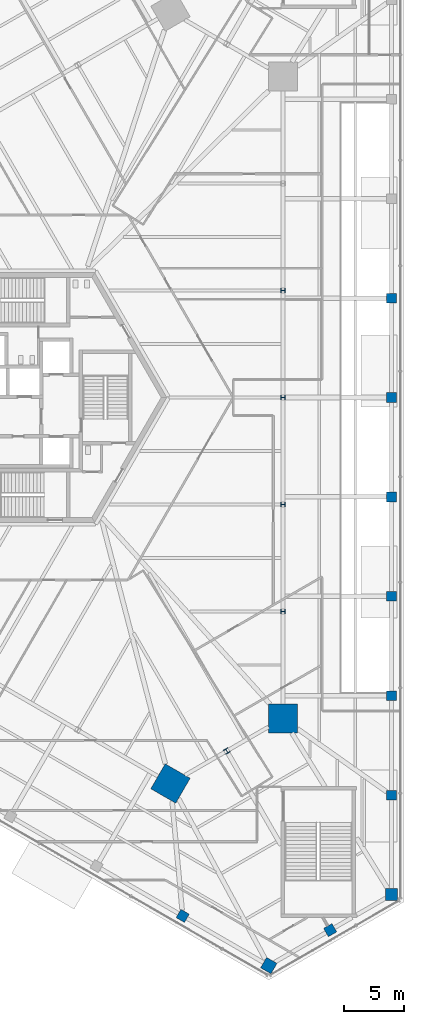
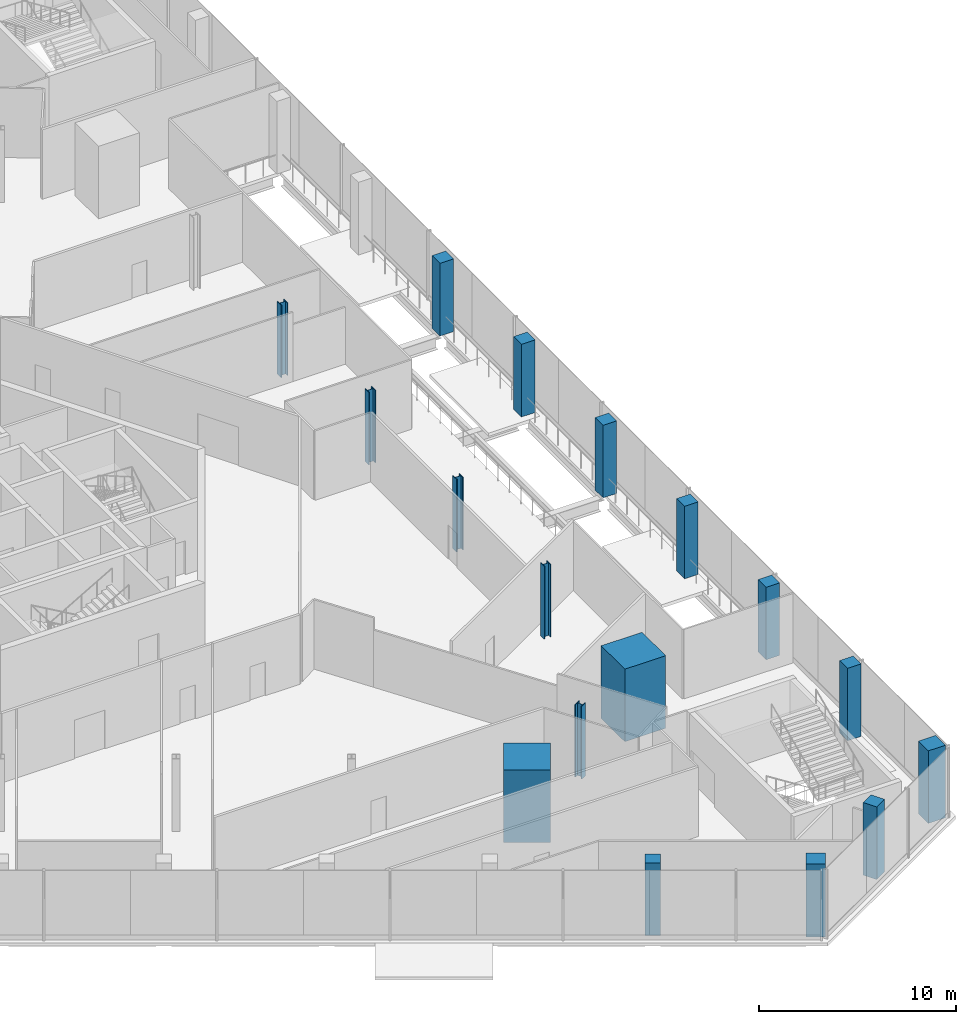
# One storey, part 3 of 27: 17 columns.
"""IFC4 building model written with IfcOpenShell, lengths in metres."""

import ifcopenshell
import ifcopenshell.guid

model = None  # the IFC model being written
_history = None  # IfcOwnerHistory: only IFC2X3 demands one
_inside = {}  # id of a spatial element -> (the spatial element, [elements in it])
_under = {}  # id of a project, library or spatial element -> (it, [spatial elements below it])
_declared = {}  # id of a project -> (the project, [libraries it declares])
_typed = {}  # id of a type object -> (the type object, [elements of that type])
_made_of = {}  # id of a material, layer set ... -> (it, [elements and type objects made of it])


def new_model(schema):
    """Start an empty IFC model of exactly this schema.

    Asked for "IFC4X3", IfcOpenShell would pick the latest addendum, in which some entities
    have other attributes; the version numbers below select the first issue.
    IFC2X3 requires an IfcOwnerHistory on every rooted entity: one is made here for all.
    """
    global model, _history
    if schema == "IFC4X3":
        model = ifcopenshell.file(schema_version=(4, 3, 0, 0))
    else:
        model = ifcopenshell.file(schema=schema)
    _inside.clear()
    _under.clear()
    _declared.clear()
    _typed.clear()
    _made_of.clear()
    _history = None
    if model.schema == "IFC2X3":
        org = make("IfcOrganization", Name="unknown")
        user = make(
            "IfcPersonAndOrganization",
            ThePerson=make("IfcPerson", FamilyName="unknown"),
            TheOrganization=org,
        )
        app = make(
            "IfcApplication",
            ApplicationDeveloper=org,
            Version="unknown",
            ApplicationFullName="unknown",
            ApplicationIdentifier="unknown",
        )
        _history = make(
            "IfcOwnerHistory",
            OwningUser=user,
            OwningApplication=app,
            ChangeAction="ADDED",
            CreationDate=0,
        )
    return model


def make(cls, **values):
    """One entity of the class cls with the attributes given. An attribute that is None is left unset."""
    return model.create_entity(
        cls, **{name: value for name, value in values.items() if value is not None}
    )


def rooted(cls, **values):
    """An entity with a GlobalId (a new one), such as an element, a storey or a relation."""
    return make(cls, GlobalId=ifcopenshell.guid.new(), OwnerHistory=_history, **values)


def si_unit(unit_type, name, prefix=None):
    """IfcSIUnit, for example si_unit("LENGTHUNIT", "METRE", prefix="MILLI")."""
    return make("IfcSIUnit", UnitType=unit_type, Prefix=prefix, Name=name)


def assignment(units):
    """IfcUnitAssignment: the units of a project."""
    return None if units is None else make("IfcUnitAssignment", Units=units)


def point(xyz):
    """IfcCartesianPoint."""
    return None if xyz is None else make("IfcCartesianPoint", Coordinates=xyz)


def direction(xyz):
    """IfcDirection."""
    return None if xyz is None else make("IfcDirection", DirectionRatios=xyz)


def frame(location, z_axis=None, x_axis=None):
    """IfcAxis2Placement3D, a coordinate frame: its origin and axes. An axis left out is left unset."""
    return make(
        "IfcAxis2Placement3D",
        Location=point(location),
        Axis=direction(z_axis),
        RefDirection=direction(x_axis),
    )


def frame_2d(location, x_axis=None):
    """IfcAxis2Placement2D, a coordinate frame in the plane: its origin and x axis."""
    return make(
        "IfcAxis2Placement2D", Location=point(location), RefDirection=direction(x_axis)
    )


def origin():
    """The frame at (0, 0, 0) with its axes left unset."""
    return frame((0.0, 0.0, 0.0))


def origin_2d():
    """The frame at (0, 0) in the plane with its x axis left unset."""
    return frame_2d((0.0, 0.0))


def place(relative_to, where):
    """IfcLocalPlacement: puts the frame where relative to a parent placement (None: the world)."""
    return make(
        "IfcLocalPlacement", PlacementRelTo=relative_to, RelativePlacement=where
    )


def context(
    kind, dimensions, precision=None, world=None, true_north=None, identifier=None
):
    """IfcGeometricRepresentationContext, for example the 3D "Model" context."""
    return make(
        "IfcGeometricRepresentationContext",
        ContextIdentifier=identifier,
        ContextType=kind,
        CoordinateSpaceDimension=dimensions,
        Precision=precision,
        WorldCoordinateSystem=world,
        TrueNorth=true_north,
    )


def subcontext(parent, identifier, kind, view, scale=None):
    """IfcGeometricRepresentationSubContext, for example "Body" below "Model"."""
    return make(
        "IfcGeometricRepresentationSubContext",
        ContextIdentifier=identifier,
        ContextType=kind,
        ParentContext=parent,
        TargetScale=scale,
        TargetView=view,
    )


def project(units=None, contexts=None):
    """IfcProject with its units and contexts."""
    return rooted(
        "IfcProject",
        Name="project",
        RepresentationContexts=contexts,
        UnitsInContext=assignment(units),
    )


def spatial(cls, under=None, at=None, **own):
    """A site, building, storey or space (cls), placed at a placement, below another one or the project."""
    s = rooted(cls, ObjectPlacement=at, **own)
    if under is not None:
        _under.setdefault(under.id(), (under, []))[1].append(s)
    return s


def profile(cls, at=None, kind="AREA", **sizes):
    """A parametric profile (cls). Its sizes go by their IFC names, for example OverallWidth=200.0."""
    return make(cls, ProfileType=kind, Position=at, **sizes)


def rectangle(**sizes):
    """IfcRectangleProfileDef."""
    return profile("IfcRectangleProfileDef", **sizes)


def i_section(**sizes):
    """IfcIShapeProfileDef."""
    return profile("IfcIShapeProfileDef", **sizes)


def extrude(swept, where, along, depth):
    """IfcExtrudedAreaSolid: the profile swept, set in the frame where, extruded along a direction by depth."""
    return make(
        "IfcExtrudedAreaSolid",
        SweptArea=swept,
        Position=where,
        ExtrudedDirection=direction(along),
        Depth=depth,
    )


def shape(context_of_items, identifier, shape_type, items):
    """IfcShapeRepresentation: the items that make up one representation, for example the "Body"."""
    return make(
        "IfcShapeRepresentation",
        ContextOfItems=context_of_items,
        RepresentationIdentifier=identifier,
        RepresentationType=shape_type,
        Items=items,
    )


def source(mapping_origin, context_of_items, identifier, shape_type, items):
    """IfcRepresentationMap: a shape defined once, which mapped items show again and again."""
    return make(
        "IfcRepresentationMap",
        MappingOrigin=mapping_origin,
        MappedRepresentation=shape(context_of_items, identifier, shape_type, items),
    )


def transform(
    local_origin,
    x_axis=None,
    y_axis=None,
    z_axis=None,
    scale=None,
    scale2=None,
    scale3=None,
    uniform=True,
):
    """IfcCartesianTransformationOperator3D, or its non-uniform kind. x_axis, y_axis, z_axis: its Axis1, 2, 3."""
    if uniform:
        return make(
            "IfcCartesianTransformationOperator3D",
            Axis1=direction(x_axis),
            Axis2=direction(y_axis),
            LocalOrigin=point(local_origin),
            Scale=scale,
            Axis3=direction(z_axis),
        )
    return make(
        "IfcCartesianTransformationOperator3DnonUniform",
        Axis1=direction(x_axis),
        Axis2=direction(y_axis),
        LocalOrigin=point(local_origin),
        Scale=scale,
        Axis3=direction(z_axis),
        Scale2=scale2,
        Scale3=scale3,
    )


def mapped(mapping_source, mapping_target):
    """IfcMappedItem: shows the shape of a source again, moved by a transform."""
    return make(
        "IfcMappedItem", MappingSource=mapping_source, MappingTarget=mapping_target
    )


def material(Name=None, Category=None):
    """IfcMaterial."""
    return make("IfcMaterial", Name=Name, Category=Category)


def material_profile(
    of_material, cross_section, Name=None, Category=None, Priority=None
):
    """IfcMaterialProfile: a cross section and its material."""
    return make(
        "IfcMaterialProfile",
        Name=Name,
        Material=of_material,
        Profile=cross_section,
        Priority=Priority,
        Category=Category,
    )


def profile_set(profiles, Name=None, composite=None):
    """IfcMaterialProfileSet."""
    return make(
        "IfcMaterialProfileSet",
        Name=Name,
        MaterialProfiles=profiles,
        CompositeProfile=composite,
    )


def made_of(thing, what):
    """Note that an element or type object is made of a material, layer set ...; save() writes the relation."""
    if what is not None:
        _made_of.setdefault(what.id(), (what, []))[1].append(thing)
    return thing


def type_object(cls, material=None, **own):
    """A type object (cls), such as IfcWallType, which elements share."""
    return made_of(rooted(cls, **own), material)


def element(
    cls,
    number,
    at=None,
    inside=None,
    cuts=None,
    type_object=None,
    material=None,
    context=None,
    identifier="Body",
    shape_type=None,
    held_by="IfcProductDefinitionShape",
    body=None,
    shapes=None,
    **own,
):
    """One element of the class cls, such as IfcWall. Its Tag is "e" and its number.

    at: its placement. inside: the storey or other place that contains it. cuts: it is an
    opening in that element (IfcRelVoidsElement). A single representation is given by context,
    identifier, shape_type and body (its items); several are given by shapes. held_by: the class
    of the entity that holds the representations. save() writes the other relations.
    """
    e = rooted(cls, Tag="e%d" % number, ObjectPlacement=at, **own)
    if body is not None:
        shapes = [shape(context, identifier, shape_type, body)]
    if shapes is not None:
        e.Representation = make(held_by, Representations=shapes)
    if inside is not None:
        _inside.setdefault(inside.id(), (inside, []))[1].append(e)
    if cuts is not None:
        rooted(
            "IfcRelVoidsElement", RelatingBuildingElement=cuts, RelatedOpeningElement=e
        )
    if type_object is not None:
        _typed.setdefault(type_object.id(), (type_object, []))[1].append(e)
    return made_of(e, material)


def aggregate(whole, parts):
    """IfcRelAggregates: a whole, such as a stair, and the parts it consists of."""
    return rooted("IfcRelAggregates", RelatingObject=whole, RelatedObjects=parts)


def save(model, path):
    """Write the relations noted so far, then the file.

    IfcRelAggregates (storeys below a building ...), IfcRelContainedInSpatialStructure (elements
    in a storey), IfcRelDefinesByType, IfcRelAssociatesMaterial and IfcRelDeclares: one each for
    every whole, place, type object, material and project.
    """
    for whole, parts in _under.values():
        aggregate(whole, parts)
    for where, things in _inside.values():
        rooted(
            "IfcRelContainedInSpatialStructure",
            RelatedElements=things,
            RelatingStructure=where,
        )
    for kind, things in _typed.values():
        rooted("IfcRelDefinesByType", RelatedObjects=things, RelatingType=kind)
    for what, things in _made_of.values():
        rooted("IfcRelAssociatesMaterial", RelatedObjects=things, RelatingMaterial=what)
    for by, libraries in _declared.values():
        rooted("IfcRelDeclares", RelatingContext=by, RelatedDefinitions=libraries)
    model.write(path)


model = new_model("IFC4")

# Units and contexts
model_context = context("Model", 3, precision=1e-05, world=origin(), true_north=direction((0.0, 1.0)))
body_context = subcontext(model_context, "Body", "Model", "MODEL_VIEW")
ifc_project = project(units=[si_unit("LENGTHUNIT", "METRE"), si_unit("AREAUNIT", "SQUARE_METRE"), si_unit("VOLUMEUNIT", "CUBIC_METRE"), si_unit("PLANEANGLEUNIT", "RADIAN"), si_unit("MASSUNIT", "GRAM", prefix="KILO")], contexts=[model_context])

# Site, building, storey
site_placement = place(None, origin())
site = spatial("IfcSite", under=ifc_project, at=site_placement, CompositionType="ELEMENT")
building_placement = place(site_placement, origin())
building = spatial("IfcBuilding", under=site, at=building_placement, Name="Triune Harvest Tower", CompositionType="ELEMENT")
storey_placement = place(building_placement, frame((0.0, 0.0, 7.0)))
storey = spatial("IfcBuildingStorey", under=building, at=storey_placement, Name="L01", CompositionType="ELEMENT", Elevation=7.0)

# Columns
ifc_material_1 = material(Name="Concrete 70 MPa", Category="concrete")
ifc_material_profile_1 = material_profile(ifc_material_1, rectangle(XDim=2.39990234375, YDim=2.39990234375, at=origin_2d()), Name="Composite 2400x2400")
ifc_profile_set_1 = profile_set([ifc_material_profile_1], Name="Concrete 70 MPa")
column_type_1 = type_object("IfcColumnType", Name="MC-1 Mega column Composite 2400x2400", PredefinedType="COLUMN", material=ifc_profile_set_1)
shared_shape_1 = source(origin(), body_context, "Body", "SweptSolid", [
    extrude(rectangle(XDim=2.39990234375, YDim=2.39990234375, at=origin_2d()), origin(), (0.0, 0.0, 1.0), 4.5),
])
for number, where, z_axis, x_axis, name in (
    (1, (21.679443359375, -26.72998046875, 0.0), (0.0, 0.0, 1.0), (0.0, 1.0, 0.0), "col/L01/M0"),
    (2, (12.30908203125, -32.139892578125, 0.0), (0.0, 0.0, 1.0), (0.866025403784, -0.5, 0.0), "col/L01/M22"),
):
    element("IfcColumn", number, at=place(storey_placement, frame(where, z_axis=z_axis, x_axis=x_axis)), inside=storey, type_object=column_type_1, Name=name, PredefinedType="COLUMN", context=body_context, shape_type="MappedRepresentation", body=[
        mapped(shared_shape_1, transform((0.0, 0.0, 0.0), scale=1.0)),
    ])
ifc_material_2 = material(Name="Steel ASTM A992 Gr 50", Category="steel")
ifc_material_profile_2 = material_profile(ifc_material_2, i_section(OverallWidth=0.40380859375, OverallDepth=0.406494140625, WebThickness=0.027099609375, FlangeThickness=0.043701171875, at=origin_2d()), Name="W14x233")
ifc_profile_set_2 = profile_set([ifc_material_profile_2], Name="Steel ASTM A992 Gr 50")
column_type_2 = type_object("IfcColumnType", Name="PC-1 Perimeter column W14x233", PredefinedType="COLUMN", material=ifc_profile_set_2)
shared_shape_2 = source(origin(), body_context, "Body", "SweptSolid", [
    extrude(i_section(OverallWidth=0.40380859375, OverallDepth=0.406494140625, WebThickness=0.027099609375, FlangeThickness=0.043701171875, at=origin_2d()), origin(), (0.0, 0.0, 1.0), 4.5),
])
for number, where, z_axis, x_axis, name in (
    (3, (21.679443359375, -17.820068359375, 0.0), (0.0, 0.0, 1.0), (0.0, 1.0, 0.0), "col/L01/P1"),
    (4, (21.679443359375, -8.909912109375, 0.0), (0.0, 0.0, 1.0), (0.0, 1.0, 0.0), "col/L01/P2"),
    (5, (21.679443359375, 0.0, 0.0), (0.0, 0.0, 1.0), (0.0, 1.0, 0.0), "col/L01/P3"),
    (6, (21.679443359375, 8.909912109375, 0.0), (0.0, 0.0, 1.0), (0.0, 1.0, 0.0), "col/L01/P4"),
    (7, (16.994384765625, -29.43505859375, 0.0), (0.0, 0.0, 1.0), (0.866026276448, 0.4999984885, 0.0), "col/L01/P23"),
):
    element("IfcColumn", number, at=place(storey_placement, frame(where, z_axis=z_axis, x_axis=x_axis)), inside=storey, type_object=column_type_2, Name=name, PredefinedType="COLUMN", context=body_context, shape_type="MappedRepresentation", body=[
        mapped(shared_shape_2, transform((0.0, 0.0, 0.0), scale=1.0)),
    ])
ifc_material_3 = material(Name="Concrete 50 MPa", Category="concrete")
ifc_material_profile_3 = material_profile(ifc_material_3, rectangle(XDim=1.0, YDim=1.0, at=origin_2d()), Name="Concrete 1000x1000")
ifc_profile_set_3 = profile_set([ifc_material_profile_3], Name="Concrete 50 MPa")
column_type_3 = type_object("IfcColumnType", Name="PD-1 Podium column Concrete 1000x1000", PredefinedType="COLUMN", material=ifc_profile_set_3)
shared_shape_3 = source(origin(), body_context, "Body", "SweptSolid", [
    extrude(rectangle(XDim=1.0, YDim=1.0, at=origin_2d()), origin(), (0.0, 0.0, 1.0), 4.5),
])
for number, where, z_axis, x_axis, name in (
    (8, (30.715087890625, -41.39990234375, 0.0), (0.0, 0.0, 1.0), (0.0, 1.0, 0.0), "col/L01/D0"),
    (9, (20.495849609375, -47.300048828125, 0.0), (0.0, 0.0, 1.0), (0.866025403784, -0.5, 0.0), "col/L01/D34"),
):
    element("IfcColumn", number, at=place(storey_placement, frame(where, z_axis=z_axis, x_axis=x_axis)), inside=storey, type_object=column_type_3, Name=name, PredefinedType="COLUMN", context=body_context, shape_type="MappedRepresentation", body=[
        mapped(shared_shape_3, transform((0.0, 0.0, 0.0), scale=1.0)),
    ])
ifc_material_4 = material(Name="Concrete 50 MPa", Category="concrete")
ifc_material_profile_4 = material_profile(ifc_material_4, rectangle(XDim=0.800048828125, YDim=0.800048828125, at=origin_2d()), Name="Concrete 800x800")
ifc_profile_set_4 = profile_set([ifc_material_profile_4], Name="Concrete 50 MPa")
column_type_4 = type_object("IfcColumnType", Name="PD-2 Podium column Concrete 800x800", PredefinedType="COLUMN", material=ifc_profile_set_4)
shared_shape_4 = source(origin(), body_context, "Body", "SweptSolid", [
    extrude(rectangle(XDim=0.800048828125, YDim=0.800048828125, at=origin_2d()), origin(), (0.0, 0.0, 1.0), 4.5),
])
for number, where, z_axis, x_axis, name in (
    (10, (30.715087890625, -33.1201171875, 0.0), (0.0, 0.0, 1.0), (0.0, 1.0, 0.0), "col/L01/D1"),
    (11, (30.715087890625, -24.840087890625, 0.0), (0.0, 0.0, 1.0), (0.0, 1.0, 0.0), "col/L01/D2"),
    (12, (30.715087890625, -16.56005859375, 0.0), (0.0, 0.0, 1.0), (0.0, 1.0, 0.0), "col/L01/D3"),
    (13, (30.715087890625, -8.280029296875, 0.0), (0.0, 0.0, 1.0), (0.0, 1.0, 0.0), "col/L01/D4"),
    (14, (30.715087890625, 0.0, 0.0), (0.0, 0.0, 1.0), (0.0, 1.0, 0.0), "col/L01/D5"),
    (15, (30.715087890625, 8.280029296875, 0.0), (0.0, 0.0, 1.0), (0.0, 1.0, 0.0), "col/L01/D6"),
    (16, (13.3251953125, -43.159912109375, 0.0), (0.0, 0.0, 1.0), (0.866025403784, -0.5, 0.0), "col/L01/D33"),
    (17, (25.60546875, -44.35009765625, 0.0), (0.0, 0.0, 1.0), (0.866027149108, 0.499996976998, 0.0), "col/L01/D35"),
):
    element("IfcColumn", number, at=place(storey_placement, frame(where, z_axis=z_axis, x_axis=x_axis)), inside=storey, type_object=column_type_4, Name=name, PredefinedType="COLUMN", context=body_context, shape_type="MappedRepresentation", body=[
        mapped(shared_shape_4, transform((0.0, 0.0, 0.0), scale=1.0)),
    ])

save(model, "model.ifc")
